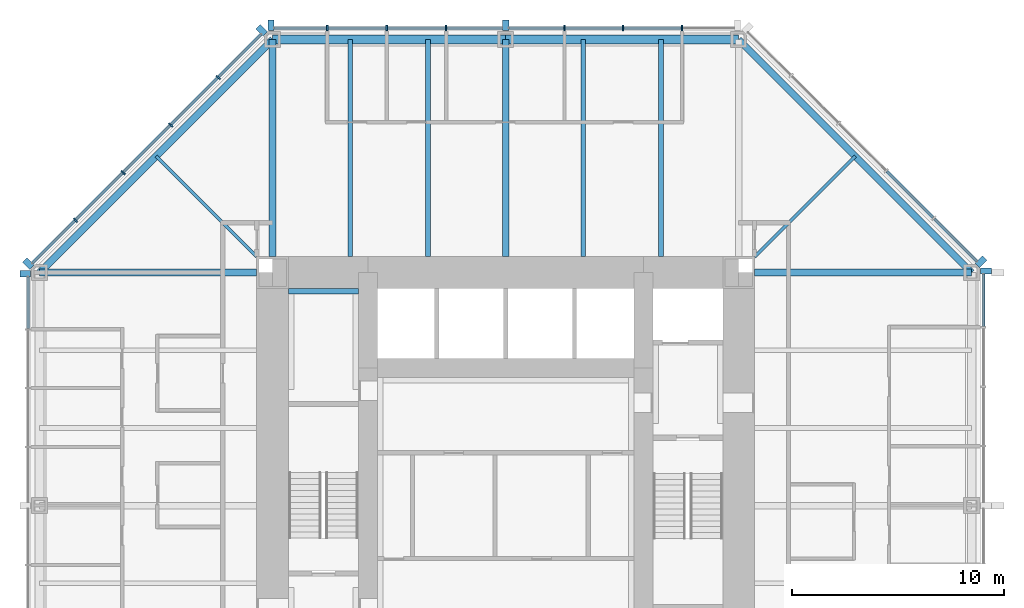
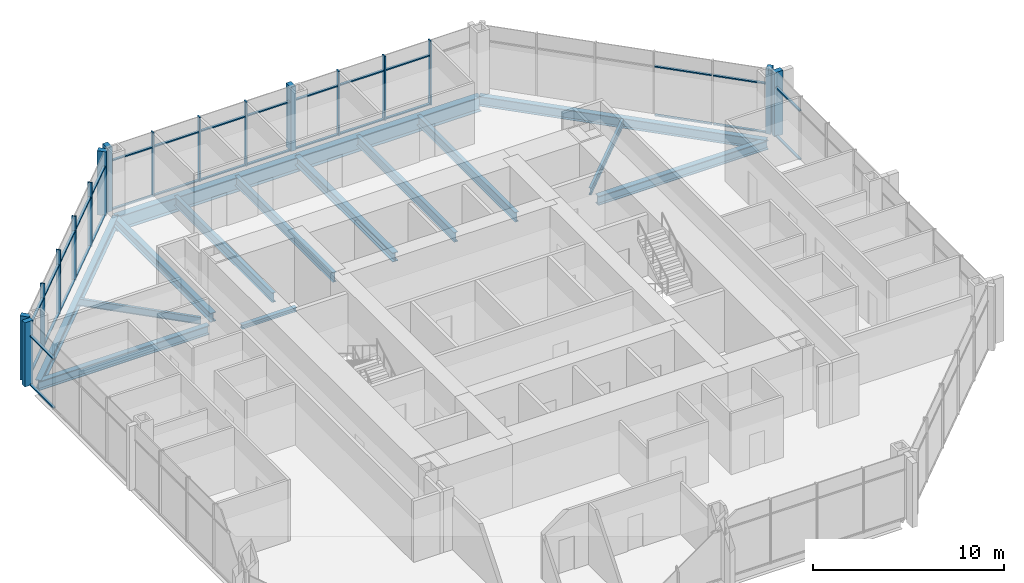
# One storey, part 5 of 12: 49 members, 15 beams, 5 elements without a shape of their own.
"""IFC4 building model written with IfcOpenShell, lengths in metres."""

from ifc_helpers import new_model, si_unit, direction, frame, origin, origin_2d, place, context, subcontext, project, spatial, rectangle, i_section, extrude, material, material_profile, profile_set, type_object, element, aggregate, save


model = new_model("IFC4")

# Units and contexts
model_context = context("Model", 3, precision=1e-05, world=origin(), true_north=direction((0.0, 1.0)))
body_context = subcontext(model_context, "Body", "Model", "MODEL_VIEW")
ifc_project = project(units=[si_unit("LENGTHUNIT", "METRE"), si_unit("AREAUNIT", "SQUARE_METRE"), si_unit("VOLUMEUNIT", "CUBIC_METRE"), si_unit("PLANEANGLEUNIT", "RADIAN"), si_unit("MASSUNIT", "GRAM", prefix="KILO")], contexts=[model_context])

# Site, building, storey
site_placement = place(None, origin())
site = spatial("IfcSite", under=ifc_project, at=site_placement, CompositionType="ELEMENT")
building_placement = place(site_placement, origin())
building = spatial("IfcBuilding", under=site, at=building_placement, Name="Trevanion Tower", CompositionType="ELEMENT")
storey_placement = place(building_placement, frame((0.0, 0.0, 121.300048828125)))
storey = spatial("IfcBuildingStorey", under=building, at=storey_placement, Name="L28", CompositionType="ELEMENT", Elevation=121.300048828125)

# Beams
ifc_material_1 = material(Name="Steel ASTM A992 Grade 50", Category="steel")
ifc_material_profile_1 = material_profile(ifc_material_1, i_section(OverallWidth=0.22900390625, OverallDepth=0.612060546875, WebThickness=0.011962890625, FlangeThickness=0.01953125, at=origin_2d()), Name="W24X84")
ifc_profile_set_1 = profile_set([ifc_material_profile_1], Name="Steel ASTM A992 Grade 50")
beam_type_1 = type_object("IfcBeamType", Name="B7 W24X84", PredefinedType="BEAM", material=ifc_profile_set_1)
for number, where, z_axis, x_axis, name in (
    (1, (7.333251953125, 11.75, -0.49609375), (0.0, 1.0, 0.0), (-1.0, 0.0, 0.0), "B7 L28"),
    (2, (3.666748046875, 11.75, -0.49609375), (0.0, 1.0, 0.0), (-1.0, 0.0, 0.0), "B7 L28"),
    (3, (-3.666748046875, 11.75, -0.49609375), (0.0, 1.0, 0.0), (-1.0, 0.0, 0.0), "B7 L28"),
    (4, (-7.333251953125, 11.75, -0.49609375), (0.0, 1.0, 0.0), (-1.0, 0.0, 0.0), "B7 L28"),
):
    element("IfcBeam", number, at=place(storey_placement, frame(where, z_axis=z_axis, x_axis=x_axis)), inside=storey, type_object=beam_type_1, Name=name, PredefinedType="BEAM", context=body_context, shape_type="SweptSolid", body=[
        extrude(i_section(OverallWidth=0.22900390625, OverallDepth=0.612060546875, WebThickness=0.011962890625, FlangeThickness=0.01953125, at=origin_2d()), origin(), (0.0, 0.0, 1.0), 10.25),
    ])
ifc_material_2 = material(Name="Steel ASTM A992 Grade 50", Category="steel")
ifc_material_profile_2 = material_profile(ifc_material_2, i_section(OverallWidth=0.15234375, OverallDepth=0.449462890625, WebThickness=0.007568359375, FlangeThickness=0.0107421875, at=origin_2d()), Name="W18X35")
ifc_profile_set_2 = profile_set([ifc_material_profile_2], Name="Steel ASTM A992 Grade 50")
beam_type_2 = type_object("IfcBeamType", Name="B8 W18X35", PredefinedType="BEAM", material=ifc_profile_set_2)
for number, where, z_axis, x_axis, name in (
    (5, (11.75, 11.75, -0.414794921875), (0.707106781187, 0.707106781187, 0.0), (-0.707106781187, 0.707106781187, 0.0), "B8 L28"),
    (6, (-11.75, 11.75, -0.414794921875), (-0.707106781187, 0.707106781187, 0.0), (-0.707106781187, -0.707106781187, 0.0), "B8 L28"),
):
    element("IfcBeam", number, at=place(storey_placement, frame(where, z_axis=z_axis, x_axis=x_axis)), inside=storey, type_object=beam_type_2, Name=name, PredefinedType="BEAM", context=body_context, shape_type="SweptSolid", body=[
        extrude(i_section(OverallWidth=0.15234375, OverallDepth=0.449462890625, WebThickness=0.007568359375, FlangeThickness=0.0107421875, at=origin_2d()), origin(), (0.0, 0.0, 1.0), 6.717529296875),
    ])

# Curtain wall, members
ifc_material_3 = material(Name="Aluminium and glass", Category="aluminium")
curtain_wall_type = type_object("IfcCurtainWallType", Name="CW2 curtain wall", PredefinedType="USERDEFINED", material=ifc_material_3)
curtain_wall_1_placement = place(storey_placement, origin())
curtain_wall_1 = element("IfcCurtainWall", 7, at=curtain_wall_1_placement, inside=storey, type_object=curtain_wall_type, Name="CW2 L28 2", ObjectType="UNITISED CURTAIN WALL", PredefinedType="USERDEFINED")
ifc_material_4 = material(Name="Aluminium extrusion, anodised bronze", Category="aluminium")
ifc_material_profile_3 = material_profile(ifc_material_4, rectangle(XDim=0.074951171875, YDim=0.25, at=origin_2d()), Name="CW2 mullion")
ifc_profile_set_3 = profile_set([ifc_material_profile_3], Name="Aluminium extrusion, anodised bronze")
member_type_1 = type_object("IfcMemberType", Name="CW2 mullion", PredefinedType="MULLION", material=ifc_profile_set_3)
member_1_placement = place(storey_placement, frame((8.323486328125, 22.550048828125, -0.18994140625), z_axis=(0.0, 0.0, 1.0), x_axis=(-1.0, 0.0, 0.0)))
member_1 = element("IfcMember", 8, at=member_1_placement, type_object=member_type_1, Name="CW2 mullion 2", PredefinedType="MULLION", context=body_context, shape_type="SweptSolid", body=[
    extrude(rectangle(XDim=0.074951171875, YDim=0.25, at=origin_2d()), origin(), (0.0, 0.0, 1.0), 4.099853515625),
])
member_2_placement = place(storey_placement, frame((5.548828125, 22.550048828125, -0.18994140625), z_axis=(0.0, 0.0, 1.0), x_axis=(-1.0, 0.0, 0.0)))
member_2 = element("IfcMember", 9, at=member_2_placement, type_object=member_type_1, Name="CW2 mullion 3", PredefinedType="MULLION", context=body_context, shape_type="SweptSolid", body=[
    extrude(rectangle(XDim=0.074951171875, YDim=0.25, at=origin_2d()), origin(), (0.0, 0.0, 1.0), 4.099853515625),
])
member_3_placement = place(storey_placement, frame((2.7744140625, 22.550048828125, -0.18994140625), z_axis=(0.0, 0.0, 1.0), x_axis=(-1.0, 0.0, 0.0)))
member_3 = element("IfcMember", 10, at=member_3_placement, type_object=member_type_1, Name="CW2 mullion 4", PredefinedType="MULLION", context=body_context, shape_type="SweptSolid", body=[
    extrude(rectangle(XDim=0.074951171875, YDim=0.25, at=origin_2d()), origin(), (0.0, 0.0, 1.0), 4.099853515625),
])
member_4_placement = place(storey_placement, frame((-2.806884765625, 22.550048828125, -0.18994140625), z_axis=(0.0, 0.0, 1.0), x_axis=(-1.0, 0.0, 0.0)))
member_4 = element("IfcMember", 11, at=member_4_placement, type_object=member_type_1, Name="CW2 mullion 6", PredefinedType="MULLION", context=body_context, shape_type="SweptSolid", body=[
    extrude(rectangle(XDim=0.074951171875, YDim=0.25, at=origin_2d()), origin(), (0.0, 0.0, 1.0), 4.099853515625),
])
member_5_placement = place(storey_placement, frame((-5.614013671875, 22.550048828125, -0.18994140625), z_axis=(0.0, 0.0, 1.0), x_axis=(-1.0, 0.0, 0.0)))
member_5 = element("IfcMember", 12, at=member_5_placement, type_object=member_type_1, Name="CW2 mullion 7", PredefinedType="MULLION", context=body_context, shape_type="SweptSolid", body=[
    extrude(rectangle(XDim=0.074951171875, YDim=0.25, at=origin_2d()), origin(), (0.0, 0.0, 1.0), 4.099853515625),
])
member_6_placement = place(storey_placement, frame((-8.4208984375, 22.550048828125, -0.18994140625), z_axis=(0.0, 0.0, 1.0), x_axis=(-1.0, 0.0, 0.0)))
member_6 = element("IfcMember", 13, at=member_6_placement, type_object=member_type_1, Name="CW2 mullion 8", PredefinedType="MULLION", context=body_context, shape_type="SweptSolid", body=[
    extrude(rectangle(XDim=0.074951171875, YDim=0.25, at=origin_2d()), origin(), (0.0, 0.0, 1.0), 4.099853515625),
])

curtain_wall_2_placement = place(storey_placement, origin())
curtain_wall_2 = element("IfcCurtainWall", 14, at=curtain_wall_2_placement, inside=storey, type_object=curtain_wall_type, Name="CW2 L28 3", ObjectType="UNITISED CURTAIN WALL", PredefinedType="USERDEFINED")
member_7_placement = place(storey_placement, frame((-13.56591796875, 20.2119140625, -0.18994140625), z_axis=(0.0, 0.0, 1.0), x_axis=(-0.707106781187, -0.707106781187, 0.0)))
member_7 = element("IfcMember", 15, at=member_7_placement, type_object=member_type_1, Name="CW2 mullion 2", PredefinedType="MULLION", context=body_context, shape_type="SweptSolid", body=[
    extrude(rectangle(XDim=0.074951171875, YDim=0.25, at=origin_2d()), origin(), (0.0, 0.0, 1.0), 4.099853515625),
])
member_8_placement = place(storey_placement, frame((-15.811767578125, 17.966064453125, -0.18994140625), z_axis=(0.0, 0.0, 1.0), x_axis=(-0.707106781187, -0.707106781187, 0.0)))
member_8 = element("IfcMember", 16, at=member_8_placement, type_object=member_type_1, Name="CW2 mullion 3", PredefinedType="MULLION", context=body_context, shape_type="SweptSolid", body=[
    extrude(rectangle(XDim=0.074951171875, YDim=0.25, at=origin_2d()), origin(), (0.0, 0.0, 1.0), 4.099853515625),
])
member_9_placement = place(storey_placement, frame((-18.057861328125, 15.719970703125, -0.18994140625), z_axis=(0.0, 0.0, 1.0), x_axis=(-0.707106781187, -0.707106781187, 0.0)))
member_9 = element("IfcMember", 17, at=member_9_placement, type_object=member_type_1, Name="CW2 mullion 4", PredefinedType="MULLION", context=body_context, shape_type="SweptSolid", body=[
    extrude(rectangle(XDim=0.074951171875, YDim=0.25, at=origin_2d()), origin(), (0.0, 0.0, 1.0), 4.099853515625),
])
member_10_placement = place(storey_placement, frame((-20.303955078125, 13.473876953125, -0.18994140625), z_axis=(0.0, 0.0, 1.0), x_axis=(-0.707106781187, -0.707106781187, 0.0)))
member_10 = element("IfcMember", 18, at=member_10_placement, type_object=member_type_1, Name="CW2 mullion 5", PredefinedType="MULLION", context=body_context, shape_type="SweptSolid", body=[
    extrude(rectangle(XDim=0.074951171875, YDim=0.25, at=origin_2d()), origin(), (0.0, 0.0, 1.0), 4.099853515625),
])

# Curtain wall, member
curtain_wall_3_placement = place(storey_placement, origin())
curtain_wall_3 = element("IfcCurtainWall", 19, at=curtain_wall_3_placement, inside=storey, type_object=curtain_wall_type, Name="CW2 L28 0", ObjectType="UNITISED CURTAIN WALL", PredefinedType="USERDEFINED")
ifc_material_5 = material(Name="Aluminium extrusion, anodised bronze", Category="aluminium")
ifc_material_profile_4 = material_profile(ifc_material_5, rectangle(XDim=0.300048828125, YDim=0.5, at=origin_2d()), Name="CW2 pier mullion")
ifc_profile_set_4 = profile_set([ifc_material_profile_4], Name="Aluminium extrusion, anodised bronze")
member_type_2 = type_object("IfcMemberType", Name="CW2 pier mullion", PredefinedType="MULLION", material=ifc_profile_set_4)
member_11_placement = place(storey_placement, frame((22.675048828125, 11.077880859375, -0.18994140625), z_axis=(0.0, 0.0, 1.0), x_axis=(0.0, 1.0, 0.0)))
member_11 = element("IfcMember", 20, at=member_11_placement, type_object=member_type_2, Name="CW2 pier mullion 9", PredefinedType="MULLION", context=body_context, shape_type="SweptSolid", body=[
    extrude(rectangle(XDim=0.300048828125, YDim=0.5, at=origin_2d()), origin(), (0.0, 0.0, 1.0), 4.099853515625),
])

curtain_wall_4_placement = place(storey_placement, origin())
curtain_wall_4 = element("IfcCurtainWall", 21, at=curtain_wall_4_placement, inside=storey, type_object=curtain_wall_type, Name="CW2 L28 1", ObjectType="UNITISED CURTAIN WALL", PredefinedType="USERDEFINED")
member_12_placement = place(storey_placement, frame((22.4404296875, 11.51416015625, -0.18994140625), z_axis=(0.0, 0.0, 1.0), x_axis=(-0.707106781187, 0.707106781187, 0.0)))
member_12 = element("IfcMember", 22, at=member_12_placement, type_object=member_type_2, Name="CW2 pier mullion 1", PredefinedType="MULLION", context=body_context, shape_type="SweptSolid", body=[
    extrude(rectangle(XDim=0.300048828125, YDim=0.5, at=origin_2d()), origin(), (0.0, 0.0, 1.0), 4.099853515625),
])

# Member
member_13_placement = place(storey_placement, frame((0.0, 22.675048828125, -0.18994140625), z_axis=(0.0, 0.0, 1.0), x_axis=(-1.0, 0.0, 0.0)))
member_13 = element("IfcMember", 23, at=member_13_placement, type_object=member_type_2, Name="CW2 pier mullion 5", PredefinedType="MULLION", context=body_context, shape_type="SweptSolid", body=[
    extrude(rectangle(XDim=0.300048828125, YDim=0.5, at=origin_2d()), origin(), (0.0, 0.0, 1.0), 4.099853515625),
])

member_14_placement = place(storey_placement, frame((-11.077880859375, 22.675048828125, -0.18994140625), z_axis=(0.0, 0.0, 1.0), x_axis=(-1.0, 0.0, 0.0)))
member_14 = element("IfcMember", 24, at=member_14_placement, type_object=member_type_2, Name="CW2 pier mullion 9", PredefinedType="MULLION", context=body_context, shape_type="SweptSolid", body=[
    extrude(rectangle(XDim=0.300048828125, YDim=0.5, at=origin_2d()), origin(), (0.0, 0.0, 1.0), 4.099853515625),
])

member_15_placement = place(storey_placement, frame((-11.51416015625, 22.4404296875, -0.18994140625), z_axis=(0.0, 0.0, 1.0), x_axis=(-0.707106781187, -0.707106781187, 0.0)))
member_15 = element("IfcMember", 25, at=member_15_placement, type_object=member_type_2, Name="CW2 pier mullion 1", PredefinedType="MULLION", context=body_context, shape_type="SweptSolid", body=[
    extrude(rectangle(XDim=0.300048828125, YDim=0.5, at=origin_2d()), origin(), (0.0, 0.0, 1.0), 4.099853515625),
])

member_16_placement = place(storey_placement, frame((-22.5322265625, 11.42236328125, -0.18994140625), z_axis=(0.0, 0.0, 1.0), x_axis=(-0.707106781187, -0.707106781187, 0.0)))
member_16 = element("IfcMember", 26, at=member_16_placement, type_object=member_type_2, Name="CW2 pier mullion 6", PredefinedType="MULLION", context=body_context, shape_type="SweptSolid", body=[
    extrude(rectangle(XDim=0.300048828125, YDim=0.5, at=origin_2d()), origin(), (0.0, 0.0, 1.0), 4.099853515625),
])

# Curtain wall, member
curtain_wall_5_placement = place(storey_placement, origin())
curtain_wall_5 = element("IfcCurtainWall", 27, at=curtain_wall_5_placement, inside=storey, type_object=curtain_wall_type, Name="CW2 L28 4", ObjectType="UNITISED CURTAIN WALL", PredefinedType="USERDEFINED")
member_17_placement = place(storey_placement, frame((-22.675048828125, 10.94775390625, -0.18994140625), z_axis=(0.0, 0.0, 1.0), x_axis=(0.0, -1.0, 0.0)))
member_17 = element("IfcMember", 28, at=member_17_placement, type_object=member_type_2, Name="CW2 pier mullion 1", PredefinedType="MULLION", context=body_context, shape_type="SweptSolid", body=[
    extrude(rectangle(XDim=0.300048828125, YDim=0.5, at=origin_2d()), origin(), (0.0, 0.0, 1.0), 4.099853515625),
])

# Member
ifc_material_6 = material(Name="Aluminium extrusion, anodised bronze", Category="aluminium")
ifc_material_profile_5 = material_profile(ifc_material_6, rectangle(XDim=0.14990234375, YDim=0.074951171875, at=origin_2d()), Name="CW2 transom")
ifc_profile_set_5 = profile_set([ifc_material_profile_5], Name="Aluminium extrusion, anodised bronze")
member_type_3 = type_object("IfcMemberType", Name="CW2 transom", PredefinedType="USERDEFINED", material=ifc_profile_set_5)
member_18_placement = place(storey_placement, frame((22.550048828125, 8.45849609375, -0.152587890625), z_axis=(0.0, 1.0, 0.0), x_axis=(-1.0, 0.0, 0.0)))
member_18 = element("IfcMember", 29, at=member_18_placement, type_object=member_type_3, Name="CW2 transom 8.1", ObjectType="TRANSOM", PredefinedType="USERDEFINED", context=body_context, shape_type="SweptSolid", body=[
    extrude(rectangle(XDim=0.14990234375, YDim=0.074951171875, at=origin_2d()), origin(), (0.0, 0.0, 1.0), 2.46923828125),
])

member_19_placement = place(storey_placement, frame((22.550048828125, 8.45849609375, 2.9599609375), z_axis=(0.0, 1.0, 0.0), x_axis=(-1.0, 0.0, 0.0)))
member_19 = element("IfcMember", 30, at=member_19_placement, type_object=member_type_3, Name="CW2 transom 8.2", ObjectType="TRANSOM", PredefinedType="USERDEFINED", context=body_context, shape_type="SweptSolid", body=[
    extrude(rectangle(XDim=0.14990234375, YDim=0.074951171875, at=origin_2d()), origin(), (0.0, 0.0, 1.0), 2.46923828125),
])

aggregate(curtain_wall_3, [member_11, member_18, member_19])

member_20_placement = place(storey_placement, frame((22.245849609375, 11.531982421875, -0.152587890625), z_axis=(-0.707106781187, 0.707106781187, 0.0), x_axis=(-0.707106781187, -0.707106781187, 0.0)))
member_20 = element("IfcMember", 31, at=member_20_placement, type_object=member_type_3, Name="CW2 transom 1.1", ObjectType="TRANSOM", PredefinedType="USERDEFINED", context=body_context, shape_type="SweptSolid", body=[
    extrude(rectangle(XDim=0.14990234375, YDim=0.074951171875, at=origin_2d()), origin(), (0.0, 0.0, 1.0), 2.8388671875),
])

member_21_placement = place(storey_placement, frame((22.245849609375, 11.531982421875, 2.9599609375), z_axis=(-0.707106781187, 0.707106781187, 0.0), x_axis=(-0.707106781187, -0.707106781187, 0.0)))
member_21 = element("IfcMember", 32, at=member_21_placement, type_object=member_type_3, Name="CW2 transom 1.2", ObjectType="TRANSOM", PredefinedType="USERDEFINED", context=body_context, shape_type="SweptSolid", body=[
    extrude(rectangle(XDim=0.14990234375, YDim=0.074951171875, at=origin_2d()), origin(), (0.0, 0.0, 1.0), 2.8388671875),
])

member_22_placement = place(storey_placement, frame((20.185546875, 13.59228515625, -0.152587890625), z_axis=(-0.707106781187, 0.707106781187, 0.0), x_axis=(-0.707106781187, -0.707106781187, 0.0)))
member_22 = element("IfcMember", 33, at=member_22_placement, type_object=member_type_3, Name="CW2 transom 2.1", ObjectType="TRANSOM", PredefinedType="USERDEFINED", context=body_context, shape_type="SweptSolid", body=[
    extrude(rectangle(XDim=0.14990234375, YDim=0.074951171875, at=origin_2d()), origin(), (0.0, 0.0, 1.0), 3.1015625),
])

member_23_placement = place(storey_placement, frame((20.185546875, 13.59228515625, 2.9599609375), z_axis=(-0.707106781187, 0.707106781187, 0.0), x_axis=(-0.707106781187, -0.707106781187, 0.0)))
member_23 = element("IfcMember", 34, at=member_23_placement, type_object=member_type_3, Name="CW2 transom 2.2", ObjectType="TRANSOM", PredefinedType="USERDEFINED", context=body_context, shape_type="SweptSolid", body=[
    extrude(rectangle(XDim=0.14990234375, YDim=0.074951171875, at=origin_2d()), origin(), (0.0, 0.0, 1.0), 3.1015625),
])

aggregate(curtain_wall_4, [member_12, member_20, member_21, member_22, member_23])

member_24_placement = place(storey_placement, frame((8.285888671875, 22.550048828125, -0.152587890625), z_axis=(-1.0, 0.0, 0.0), x_axis=(0.0, -1.0, 0.0)))
member_24 = element("IfcMember", 35, at=member_24_placement, type_object=member_type_3, Name="CW2 transom 2.1", ObjectType="TRANSOM", PredefinedType="USERDEFINED", context=body_context, shape_type="SweptSolid", body=[
    extrude(rectangle(XDim=0.14990234375, YDim=0.074951171875, at=origin_2d()), origin(), (0.0, 0.0, 1.0), 2.699462890625),
])

member_25_placement = place(storey_placement, frame((8.285888671875, 22.550048828125, 2.9599609375), z_axis=(-1.0, 0.0, 0.0), x_axis=(0.0, -1.0, 0.0)))
member_25 = element("IfcMember", 36, at=member_25_placement, type_object=member_type_3, Name="CW2 transom 2.2", ObjectType="TRANSOM", PredefinedType="USERDEFINED", context=body_context, shape_type="SweptSolid", body=[
    extrude(rectangle(XDim=0.14990234375, YDim=0.074951171875, at=origin_2d()), origin(), (0.0, 0.0, 1.0), 2.699462890625),
])

member_26_placement = place(storey_placement, frame((5.511474609375, 22.550048828125, -0.152587890625), z_axis=(-1.0, 0.0, 0.0), x_axis=(0.0, -1.0, 0.0)))
member_26 = element("IfcMember", 37, at=member_26_placement, type_object=member_type_3, Name="CW2 transom 3.1", ObjectType="TRANSOM", PredefinedType="USERDEFINED", context=body_context, shape_type="SweptSolid", body=[
    extrude(rectangle(XDim=0.14990234375, YDim=0.074951171875, at=origin_2d()), origin(), (0.0, 0.0, 1.0), 2.699462890625),
])

member_27_placement = place(storey_placement, frame((5.511474609375, 22.550048828125, 2.9599609375), z_axis=(-1.0, 0.0, 0.0), x_axis=(0.0, -1.0, 0.0)))
member_27 = element("IfcMember", 38, at=member_27_placement, type_object=member_type_3, Name="CW2 transom 3.2", ObjectType="TRANSOM", PredefinedType="USERDEFINED", context=body_context, shape_type="SweptSolid", body=[
    extrude(rectangle(XDim=0.14990234375, YDim=0.074951171875, at=origin_2d()), origin(), (0.0, 0.0, 1.0), 2.699462890625),
])

member_28_placement = place(storey_placement, frame((2.737060546875, 22.550048828125, -0.152587890625), z_axis=(-1.0, 0.0, 0.0), x_axis=(0.0, -1.0, 0.0)))
member_28 = element("IfcMember", 39, at=member_28_placement, type_object=member_type_3, Name="CW2 transom 4.1", ObjectType="TRANSOM", PredefinedType="USERDEFINED", context=body_context, shape_type="SweptSolid", body=[
    extrude(rectangle(XDim=0.14990234375, YDim=0.074951171875, at=origin_2d()), origin(), (0.0, 0.0, 1.0), 2.587158203125),
])

member_29_placement = place(storey_placement, frame((2.737060546875, 22.550048828125, 2.9599609375), z_axis=(-1.0, 0.0, 0.0), x_axis=(0.0, -1.0, 0.0)))
member_29 = element("IfcMember", 40, at=member_29_placement, type_object=member_type_3, Name="CW2 transom 4.2", ObjectType="TRANSOM", PredefinedType="USERDEFINED", context=body_context, shape_type="SweptSolid", body=[
    extrude(rectangle(XDim=0.14990234375, YDim=0.074951171875, at=origin_2d()), origin(), (0.0, 0.0, 1.0), 2.587158203125),
])

member_30_placement = place(storey_placement, frame((-0.14990234375, 22.550048828125, -0.152587890625), z_axis=(-1.0, 0.0, 0.0), x_axis=(0.0, -1.0, 0.0)))
member_30 = element("IfcMember", 41, at=member_30_placement, type_object=member_type_3, Name="CW2 transom 5.1", ObjectType="TRANSOM", PredefinedType="USERDEFINED", context=body_context, shape_type="SweptSolid", body=[
    extrude(rectangle(XDim=0.14990234375, YDim=0.074951171875, at=origin_2d()), origin(), (0.0, 0.0, 1.0), 2.619384765625),
])

member_31_placement = place(storey_placement, frame((-0.14990234375, 22.550048828125, 2.9599609375), z_axis=(-1.0, 0.0, 0.0), x_axis=(0.0, -1.0, 0.0)))
member_31 = element("IfcMember", 42, at=member_31_placement, type_object=member_type_3, Name="CW2 transom 5.2", ObjectType="TRANSOM", PredefinedType="USERDEFINED", context=body_context, shape_type="SweptSolid", body=[
    extrude(rectangle(XDim=0.14990234375, YDim=0.074951171875, at=origin_2d()), origin(), (0.0, 0.0, 1.0), 2.619384765625),
])

member_32_placement = place(storey_placement, frame((-2.844482421875, 22.550048828125, -0.152587890625), z_axis=(-1.0, 0.0, 0.0), x_axis=(0.0, -1.0, 0.0)))
member_32 = element("IfcMember", 43, at=member_32_placement, type_object=member_type_3, Name="CW2 transom 6.1", ObjectType="TRANSOM", PredefinedType="USERDEFINED", context=body_context, shape_type="SweptSolid", body=[
    extrude(rectangle(XDim=0.14990234375, YDim=0.074951171875, at=origin_2d()), origin(), (0.0, 0.0, 1.0), 2.73193359375),
])

member_33_placement = place(storey_placement, frame((-2.844482421875, 22.550048828125, 2.9599609375), z_axis=(-1.0, 0.0, 0.0), x_axis=(0.0, -1.0, 0.0)))
member_33 = element("IfcMember", 44, at=member_33_placement, type_object=member_type_3, Name="CW2 transom 6.2", ObjectType="TRANSOM", PredefinedType="USERDEFINED", context=body_context, shape_type="SweptSolid", body=[
    extrude(rectangle(XDim=0.14990234375, YDim=0.074951171875, at=origin_2d()), origin(), (0.0, 0.0, 1.0), 2.73193359375),
])

member_34_placement = place(storey_placement, frame((-5.6513671875, 22.550048828125, -0.152587890625), z_axis=(-1.0, 0.0, 0.0), x_axis=(0.0, -1.0, 0.0)))
member_34 = element("IfcMember", 45, at=member_34_placement, type_object=member_type_3, Name="CW2 transom 7.1", ObjectType="TRANSOM", PredefinedType="USERDEFINED", context=body_context, shape_type="SweptSolid", body=[
    extrude(rectangle(XDim=0.14990234375, YDim=0.074951171875, at=origin_2d()), origin(), (0.0, 0.0, 1.0), 2.73193359375),
])

member_35_placement = place(storey_placement, frame((-5.6513671875, 22.550048828125, 2.9599609375), z_axis=(-1.0, 0.0, 0.0), x_axis=(0.0, -1.0, 0.0)))
member_35 = element("IfcMember", 46, at=member_35_placement, type_object=member_type_3, Name="CW2 transom 7.2", ObjectType="TRANSOM", PredefinedType="USERDEFINED", context=body_context, shape_type="SweptSolid", body=[
    extrude(rectangle(XDim=0.14990234375, YDim=0.074951171875, at=origin_2d()), origin(), (0.0, 0.0, 1.0), 2.73193359375),
])

member_36_placement = place(storey_placement, frame((-8.45849609375, 22.550048828125, -0.152587890625), z_axis=(-1.0, 0.0, 0.0), x_axis=(0.0, -1.0, 0.0)))
member_36 = element("IfcMember", 47, at=member_36_placement, type_object=member_type_3, Name="CW2 transom 8.1", ObjectType="TRANSOM", PredefinedType="USERDEFINED", context=body_context, shape_type="SweptSolid", body=[
    extrude(rectangle(XDim=0.14990234375, YDim=0.074951171875, at=origin_2d()), origin(), (0.0, 0.0, 1.0), 2.46923828125),
])

member_37_placement = place(storey_placement, frame((-8.45849609375, 22.550048828125, 2.9599609375), z_axis=(-1.0, 0.0, 0.0), x_axis=(0.0, -1.0, 0.0)))
member_37 = element("IfcMember", 48, at=member_37_placement, type_object=member_type_3, Name="CW2 transom 8.2", ObjectType="TRANSOM", PredefinedType="USERDEFINED", context=body_context, shape_type="SweptSolid", body=[
    extrude(rectangle(XDim=0.14990234375, YDim=0.074951171875, at=origin_2d()), origin(), (0.0, 0.0, 1.0), 2.46923828125),
])

aggregate(curtain_wall_1, [member_1, member_2, member_3, member_13, member_4, member_5, member_6, member_14, member_24, member_25, member_26, member_27, member_28, member_29, member_30, member_31, member_32, member_33, member_34, member_35, member_36, member_37])

member_38_placement = place(storey_placement, frame((-11.531982421875, 22.245849609375, -0.152587890625), z_axis=(-0.707106781187, -0.707106781187, 0.0), x_axis=(0.707106781187, -0.707106781187, 0.0)))
member_38 = element("IfcMember", 49, at=member_38_placement, type_object=member_type_3, Name="CW2 transom 1.1", ObjectType="TRANSOM", PredefinedType="USERDEFINED", context=body_context, shape_type="SweptSolid", body=[
    extrude(rectangle(XDim=0.14990234375, YDim=0.074951171875, at=origin_2d()), origin(), (0.0, 0.0, 1.0), 2.8388671875),
])

member_39_placement = place(storey_placement, frame((-11.531982421875, 22.245849609375, 2.9599609375), z_axis=(-0.707106781187, -0.707106781187, 0.0), x_axis=(0.707106781187, -0.707106781187, 0.0)))
member_39 = element("IfcMember", 50, at=member_39_placement, type_object=member_type_3, Name="CW2 transom 1.2", ObjectType="TRANSOM", PredefinedType="USERDEFINED", context=body_context, shape_type="SweptSolid", body=[
    extrude(rectangle(XDim=0.14990234375, YDim=0.074951171875, at=origin_2d()), origin(), (0.0, 0.0, 1.0), 2.8388671875),
])

member_40_placement = place(storey_placement, frame((-13.59228515625, 20.185546875, -0.152587890625), z_axis=(-0.707106781187, -0.707106781187, 0.0), x_axis=(0.707106781187, -0.707106781187, 0.0)))
member_40 = element("IfcMember", 51, at=member_40_placement, type_object=member_type_3, Name="CW2 transom 2.1", ObjectType="TRANSOM", PredefinedType="USERDEFINED", context=body_context, shape_type="SweptSolid", body=[
    extrude(rectangle(XDim=0.14990234375, YDim=0.074951171875, at=origin_2d()), origin(), (0.0, 0.0, 1.0), 3.1015625),
])

member_41_placement = place(storey_placement, frame((-13.59228515625, 20.185546875, 2.9599609375), z_axis=(-0.707106781187, -0.707106781187, 0.0), x_axis=(0.707106781187, -0.707106781187, 0.0)))
member_41 = element("IfcMember", 52, at=member_41_placement, type_object=member_type_3, Name="CW2 transom 2.2", ObjectType="TRANSOM", PredefinedType="USERDEFINED", context=body_context, shape_type="SweptSolid", body=[
    extrude(rectangle(XDim=0.14990234375, YDim=0.074951171875, at=origin_2d()), origin(), (0.0, 0.0, 1.0), 3.1015625),
])

member_42_placement = place(storey_placement, frame((-15.83837890625, 17.939453125, -0.152587890625), z_axis=(-0.707106781187, -0.707106781187, 0.0), x_axis=(0.707106781187, -0.707106781187, 0.0)))
member_42 = element("IfcMember", 53, at=member_42_placement, type_object=member_type_3, Name="CW2 transom 3.1", ObjectType="TRANSOM", PredefinedType="USERDEFINED", context=body_context, shape_type="SweptSolid", body=[
    extrude(rectangle(XDim=0.14990234375, YDim=0.074951171875, at=origin_2d()), origin(), (0.0, 0.0, 1.0), 3.1015625),
])

member_43_placement = place(storey_placement, frame((-15.83837890625, 17.939453125, 2.9599609375), z_axis=(-0.707106781187, -0.707106781187, 0.0), x_axis=(0.707106781187, -0.707106781187, 0.0)))
member_43 = element("IfcMember", 54, at=member_43_placement, type_object=member_type_3, Name="CW2 transom 3.2", ObjectType="TRANSOM", PredefinedType="USERDEFINED", context=body_context, shape_type="SweptSolid", body=[
    extrude(rectangle(XDim=0.14990234375, YDim=0.074951171875, at=origin_2d()), origin(), (0.0, 0.0, 1.0), 3.1015625),
])

member_44_placement = place(storey_placement, frame((-18.08447265625, 15.693359375, -0.152587890625), z_axis=(-0.707106781187, -0.707106781187, 0.0), x_axis=(0.707106781187, -0.707106781187, 0.0)))
member_44 = element("IfcMember", 55, at=member_44_placement, type_object=member_type_3, Name="CW2 transom 4.1", ObjectType="TRANSOM", PredefinedType="USERDEFINED", context=body_context, shape_type="SweptSolid", body=[
    extrude(rectangle(XDim=0.14990234375, YDim=0.074951171875, at=origin_2d()), origin(), (0.0, 0.0, 1.0), 3.10107421875),
])

member_45_placement = place(storey_placement, frame((-18.08447265625, 15.693359375, 2.9599609375), z_axis=(-0.707106781187, -0.707106781187, 0.0), x_axis=(0.707106781187, -0.707106781187, 0.0)))
member_45 = element("IfcMember", 56, at=member_45_placement, type_object=member_type_3, Name="CW2 transom 4.2", ObjectType="TRANSOM", PredefinedType="USERDEFINED", context=body_context, shape_type="SweptSolid", body=[
    extrude(rectangle(XDim=0.14990234375, YDim=0.074951171875, at=origin_2d()), origin(), (0.0, 0.0, 1.0), 3.10107421875),
])

member_46_placement = place(storey_placement, frame((-20.33056640625, 13.447509765625, -0.152587890625), z_axis=(-0.707063781595, -0.707149778163, 0.0), x_axis=(0.707149778163, -0.707063781595, 0.0)))
member_46 = element("IfcMember", 57, at=member_46_placement, type_object=member_type_3, Name="CW2 transom 5.1", ObjectType="TRANSOM", PredefinedType="USERDEFINED", context=body_context, shape_type="SweptSolid", body=[
    extrude(rectangle(XDim=0.14990234375, YDim=0.074951171875, at=origin_2d()), origin(), (0.0, 0.0, 1.0), 2.8388671875),
])

member_47_placement = place(storey_placement, frame((-20.33056640625, 13.447509765625, 2.9599609375), z_axis=(-0.707063781595, -0.707149778163, 0.0), x_axis=(0.707149778163, -0.707063781595, 0.0)))
member_47 = element("IfcMember", 58, at=member_47_placement, type_object=member_type_3, Name="CW2 transom 5.2", ObjectType="TRANSOM", PredefinedType="USERDEFINED", context=body_context, shape_type="SweptSolid", body=[
    extrude(rectangle(XDim=0.14990234375, YDim=0.074951171875, at=origin_2d()), origin(), (0.0, 0.0, 1.0), 2.8388671875),
])

aggregate(curtain_wall_2, [member_15, member_7, member_8, member_9, member_10, member_16, member_38, member_39, member_40, member_41, member_42, member_43, member_44, member_45, member_46, member_47])

member_48_placement = place(storey_placement, frame((-22.550048828125, 10.7978515625, -0.152587890625), z_axis=(0.0, -1.0, 0.0), x_axis=(1.0, 0.0, 0.0)))
member_48 = element("IfcMember", 59, at=member_48_placement, type_object=member_type_3, Name="CW2 transom 1.1", ObjectType="TRANSOM", PredefinedType="USERDEFINED", context=body_context, shape_type="SweptSolid", body=[
    extrude(rectangle(XDim=0.14990234375, YDim=0.074951171875, at=origin_2d()), origin(), (0.0, 0.0, 1.0), 2.43701171875),
])

member_49_placement = place(storey_placement, frame((-22.550048828125, 10.7978515625, 2.9599609375), z_axis=(0.0, -1.0, 0.0), x_axis=(1.0, 0.0, 0.0)))
member_49 = element("IfcMember", 60, at=member_49_placement, type_object=member_type_3, Name="CW2 transom 1.2", ObjectType="TRANSOM", PredefinedType="USERDEFINED", context=body_context, shape_type="SweptSolid", body=[
    extrude(rectangle(XDim=0.14990234375, YDim=0.074951171875, at=origin_2d()), origin(), (0.0, 0.0, 1.0), 2.43701171875),
])

aggregate(curtain_wall_5, [member_17, member_48, member_49])

# Beams
ifc_material_7 = material(Name="Steel ASTM A992 Grade 50", Category="steel")
ifc_material_profile_6 = material_profile(ifc_material_7, i_section(OverallWidth=0.320068359375, OverallDepth=0.584228515625, WebThickness=0.023193359375, FlangeThickness=0.04150390625, at=origin_2d()), Name="W21X201")
ifc_profile_set_6 = profile_set([ifc_material_profile_6], Name="Steel ASTM A992 Grade 50")
beam_type_3 = type_object("IfcBeamType", Name="G4 W21X201", PredefinedType="BEAM", material=ifc_profile_set_6)
for number, where, z_axis, x_axis, name in (
    (61, (11.75, 11.0, -0.482177734375), (1.0, 0.0, 0.0), (0.0, 1.0, 0.0), "G4 L28"),
    (62, (0.0, 11.75, -0.482177734375), (0.0, 1.0, 0.0), (-1.0, 0.0, 0.0), "G4 L28"),
    (63, (-11.0, 11.75, -0.482177734375), (0.0, 1.0, 0.0), (-1.0, 0.0, 0.0), "G4 L28"),
    (64, (-11.75, 11.0, -0.482177734375), (-1.0, 0.0, 0.0), (0.0, -1.0, 0.0), "G4 L28"),
):
    element("IfcBeam", number, at=place(storey_placement, frame(where, z_axis=z_axis, x_axis=x_axis)), inside=storey, type_object=beam_type_3, Name=name, PredefinedType="BEAM", context=body_context, shape_type="SweptSolid", body=[
        extrude(i_section(OverallWidth=0.320068359375, OverallDepth=0.584228515625, WebThickness=0.023193359375, FlangeThickness=0.04150390625, at=origin_2d()), origin(), (0.0, 0.0, 1.0), 10.25),
    ])
ifc_material_8 = material(Name="Steel ASTM A992 Grade 50", Category="steel")
ifc_material_profile_7 = material_profile(ifc_material_8, i_section(OverallWidth=0.256591796875, OverallDepth=0.26416015625, WebThickness=0.011962890625, FlangeThickness=0.01953125, at=origin_2d()), Name="W10X68")
ifc_profile_set_7 = profile_set([ifc_material_profile_7], Name="Steel ASTM A992 Grade 50")
beam_type_4 = type_object("IfcBeamType", Name="LB1 W10X68", PredefinedType="BEAM", material=ifc_profile_set_7)
beam_placement = place(storey_placement, frame((-10.25, 10.12158203125, -0.33203125), z_axis=(1.0, 0.0, 0.0), x_axis=(0.0, 1.0, 0.0)))
element("IfcBeam", 65, at=beam_placement, inside=storey, type_object=beam_type_4, Name="LB1 L28", PredefinedType="BEAM", context=body_context, shape_type="SweptSolid", body=[
    extrude(i_section(OverallWidth=0.256591796875, OverallDepth=0.26416015625, WebThickness=0.011962890625, FlangeThickness=0.01953125, at=origin_2d()), origin(), (0.0, 0.0, 1.0), 3.300048828125),
])
ifc_material_9 = material(Name="Steel ASTM A992 Grade 50", Category="steel")
ifc_material_profile_8 = material_profile(ifc_material_9, i_section(OverallWidth=0.419189453125, OverallDepth=0.927001953125, WebThickness=0.019287109375, FlangeThickness=0.031982421875, at=origin_2d()), Name="W36X231")
ifc_profile_set_8 = profile_set([ifc_material_profile_8], Name="Steel ASTM A992 Grade 50")
beam_type_5 = type_object("IfcBeamType", Name="SB4 W36X231", PredefinedType="SPANDREL", material=ifc_profile_set_8)
for number, where, z_axis, x_axis, name in (
    (66, (11.0, 22.0, -0.653564453125), (-1.0, 0.0, 0.0), (0.0, -1.0, 0.0), "SB4 L28"),
    (67, (0.0, 22.0, -0.653564453125), (-1.0, 0.0, 0.0), (0.0, -1.0, 0.0), "SB4 L28"),
):
    element("IfcBeam", number, at=place(storey_placement, frame(where, z_axis=z_axis, x_axis=x_axis)), inside=storey, type_object=beam_type_5, Name=name, PredefinedType="SPANDREL", context=body_context, shape_type="SweptSolid", body=[
        extrude(i_section(OverallWidth=0.419189453125, OverallDepth=0.927001953125, WebThickness=0.019287109375, FlangeThickness=0.031982421875, at=origin_2d()), origin(), (0.0, 0.0, 1.0), 11.0),
    ])
ifc_material_10 = material(Name="Steel ASTM A992 Grade 50", Category="steel")
ifc_material_profile_9 = material_profile(ifc_material_10, i_section(OverallWidth=0.32763671875, OverallDepth=0.62744140625, WebThickness=0.0166015625, FlangeThickness=0.027587890625, at=origin_2d()), Name="W24X146")
ifc_profile_set_9 = profile_set([ifc_material_profile_9], Name="Steel ASTM A992 Grade 50")
beam_type_6 = type_object("IfcBeamType", Name="SB5 W24X146", PredefinedType="SPANDREL", material=ifc_profile_set_9)
for number, where, z_axis, x_axis, name in (
    (68, (22.0, 11.0, -0.503662109375), (-0.707106781187, 0.707106781187, 0.0), (-0.707106781187, -0.707106781187, 0.0), "SB5 L28"),
    (69, (-11.0, 22.0, -0.503662109375), (-0.707106781187, -0.707106781187, 0.0), (0.707106781187, -0.707106781187, 0.0), "SB5 L28"),
):
    element("IfcBeam", number, at=place(storey_placement, frame(where, z_axis=z_axis, x_axis=x_axis)), inside=storey, type_object=beam_type_6, Name=name, PredefinedType="SPANDREL", context=body_context, shape_type="SweptSolid", body=[
        extrude(i_section(OverallWidth=0.32763671875, OverallDepth=0.62744140625, WebThickness=0.0166015625, FlangeThickness=0.027587890625, at=origin_2d()), origin(), (0.0, 0.0, 1.0), 15.556396484375),
    ])

save(model, "model.ifc")
